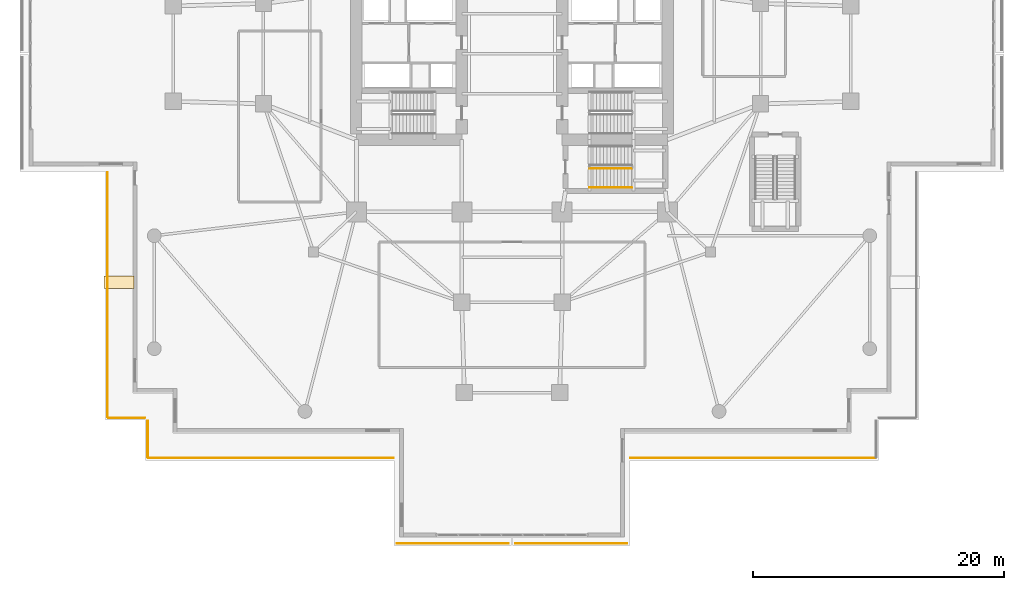
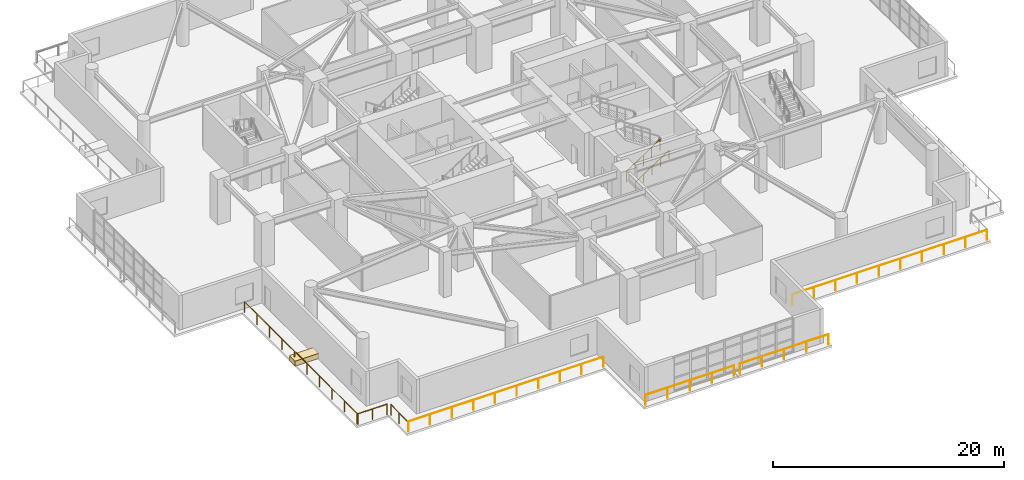
# One storey, part 17 of 23: 9 railings, 1 covering.
"""IFC4 building model written with IfcOpenShell, lengths in metres."""

from ifc_helpers import new_model, si_unit, direction, frame, origin, origin_2d, place, context, subcontext, project, spatial, rectangle, circle, extrude, material, layer, layer_set, type_object, element, save


model = new_model("IFC4")

# Units and contexts
model_context = context("Model", 3, precision=1e-05, world=origin(), true_north=direction((0.0, 1.0)))
body_context = subcontext(model_context, "Body", "Model", "MODEL_VIEW")
ifc_project = project(units=[si_unit("LENGTHUNIT", "METRE"), si_unit("AREAUNIT", "SQUARE_METRE"), si_unit("VOLUMEUNIT", "CUBIC_METRE"), si_unit("PLANEANGLEUNIT", "RADIAN"), si_unit("MASSUNIT", "GRAM", prefix="KILO")], contexts=[model_context])

# Site, building, storey
site_placement = place(None, origin())
site = spatial("IfcSite", under=ifc_project, at=site_placement, CompositionType="ELEMENT")
building_placement = place(site_placement, origin())
building = spatial("IfcBuilding", under=site, at=building_placement, Name="Qingluan Cross Belvedere", CompositionType="ELEMENT")
storey_placement = place(building_placement, frame((0.0, 0.0, 5.39990234375)))
storey = spatial("IfcBuildingStorey", under=building, at=storey_placement, Name="L02", CompositionType="ELEMENT", Elevation=5.39990234375)

# Railings
ifc_material_1 = material(Name="Brushed stainless steel tubular handrail", Category="steel")
railing_type_1 = type_object("IfcRailingType", Name="StairPitchHandrail_900", PredefinedType="HANDRAIL", material=ifc_material_1)
railing_1_placement = place(storey_placement, frame((6.179931640625, -10.669921875, 0.184814453125)))
element("IfcRailing", 1, at=railing_1_placement, inside=storey, type_object=railing_type_1, Name="L02 ST4 stair handrail 1", PredefinedType="HANDRAIL", context=body_context, shape_type="SweptSolid", body=[
    extrude(circle(Radius=0.02392578125, at=origin_2d()), frame((0.0, 0.0, 0.8759765625), z_axis=(0.834876476806, 0.0, 0.550437342915), x_axis=(0.0, 1.0, 0.0)), (0.0, 0.0, 1.0), 4.024658203125),
    extrude(circle(Radius=0.02099609375, at=origin_2d()), origin(), (0.0, 0.0, 1.0), 0.851806640625),
    extrude(circle(Radius=0.02099609375, at=origin_2d()), frame((0.840087890625, 0.0, 0.5537109375)), (0.0, 0.0, 1.0), 0.851806640625),
    extrude(circle(Radius=0.02099609375, at=origin_2d()), frame((1.68017578125, 0.0, 1.107666015625)), (0.0, 0.0, 1.0), 0.851806640625),
    extrude(circle(Radius=0.02099609375, at=origin_2d()), frame((2.52001953125, 0.0, 1.66162109375)), (0.0, 0.0, 1.0), 0.851806640625),
    extrude(circle(Radius=0.02099609375, at=origin_2d()), frame((3.360107421875, 0.0, 2.21533203125)), (0.0, 0.0, 1.0), 0.851806640625),
])
ifc_material_2 = material(Name="Painted steel stair well guard", Category="steel")
railing_type_2 = type_object("IfcRailingType", Name="StairWellGuard_1150", PredefinedType="BALUSTRADE", material=ifc_material_2)
railing_2_placement = place(storey_placement, frame((6.179931640625, -9.14990234375, 0.184814453125)))
element("IfcRailing", 2, at=railing_2_placement, inside=storey, type_object=railing_type_2, Name="L02 ST4 stair guard 1", PredefinedType="BALUSTRADE", context=body_context, shape_type="SweptSolid", body=[
    extrude(circle(Radius=0.02392578125, at=origin_2d()), frame((0.0, 0.0, 1.1259765625), z_axis=(0.834876476806, 0.0, 0.550437342915), x_axis=(0.0, 1.0, 0.0)), (0.0, 0.0, 1.0), 4.024658203125),
    extrude(circle(Radius=0.02099609375, at=origin_2d()), origin(), (0.0, 0.0, 1.0), 1.101806640625),
    extrude(circle(Radius=0.02099609375, at=origin_2d()), frame((0.840087890625, 0.0, 0.5537109375)), (0.0, 0.0, 1.0), 1.101806640625),
    extrude(circle(Radius=0.02099609375, at=origin_2d()), frame((1.68017578125, 0.0, 1.107666015625)), (0.0, 0.0, 1.0), 1.101806640625),
    extrude(circle(Radius=0.02099609375, at=origin_2d()), frame((2.52001953125, 0.0, 1.66162109375)), (0.0, 0.0, 1.0), 1.101806640625),
    extrude(circle(Radius=0.02099609375, at=origin_2d()), frame((3.360107421875, 0.0, 2.21533203125)), (0.0, 0.0, 1.0), 1.101806640625),
])
ifc_material_3 = material(Name="Laminated glass and stainless steel balustrade", Category="steel")
railing_type_3 = type_object("IfcRailingType", Name="TerraceGuardBalustrade_1150", PredefinedType="BALUSTRADE", material=ifc_material_3)
railing_3_placement = place(storey_placement, frame((-0.2900390625, -39.02001953125, 0.0)))
element("IfcRailing", 3, at=railing_3_placement, inside=storey, type_object=railing_type_3, Name="Terrace guard L02-1", PredefinedType="BALUSTRADE", context=body_context, shape_type="SweptSolid", body=[
    extrude(circle(Radius=0.02392578125, at=origin_2d()), frame((0.0, 0.0, 1.1259765625), z_axis=(-1.0, 0.0, 0.0), x_axis=(0.0, -1.0, 0.0)), (0.0, 0.0, 1.0), 8.869873046875),
    extrude(circle(Radius=0.02099609375, at=origin_2d()), origin(), (0.0, 0.0, 1.0), 1.101806640625),
    extrude(circle(Radius=0.02099609375, at=origin_2d()), frame((-2.217529296875, 0.0, 0.0)), (0.0, 0.0, 1.0), 1.101806640625),
    extrude(circle(Radius=0.02099609375, at=origin_2d()), frame((-4.43505859375, 0.0, 0.0)), (0.0, 0.0, 1.0), 1.101806640625),
    extrude(circle(Radius=0.02099609375, at=origin_2d()), frame((-6.65234375, 0.0, 0.0)), (0.0, 0.0, 1.0), 1.101806640625),
    extrude(circle(Radius=0.02099609375, at=origin_2d()), frame((-8.869873046875, 0.0, 0.0)), (0.0, 0.0, 1.0), 1.101806640625),
])
railing_4_placement = place(storey_placement, frame((-9.4599609375, -32.219970703125, 0.0)))
element("IfcRailing", 4, at=railing_4_placement, inside=storey, type_object=railing_type_3, Name="Terrace guard L02-2", PredefinedType="BALUSTRADE", context=body_context, shape_type="SweptSolid", body=[
    extrude(circle(Radius=0.02392578125, at=origin_2d()), frame((0.0, 0.0, 1.1259765625), z_axis=(-1.0, 0.0, 0.0), x_axis=(0.0, -1.0, 0.0)), (0.0, 0.0, 1.0), 19.5),
    extrude(circle(Radius=0.02099609375, at=origin_2d()), origin(), (0.0, 0.0, 1.0), 1.101806640625),
    extrude(circle(Radius=0.02099609375, at=origin_2d()), frame((-2.166748046875, 0.0, 0.0)), (0.0, 0.0, 1.0), 1.101806640625),
    extrude(circle(Radius=0.02099609375, at=origin_2d()), frame((-4.333251953125, 0.0, 0.0)), (0.0, 0.0, 1.0), 1.101806640625),
    extrude(circle(Radius=0.02099609375, at=origin_2d()), frame((-6.5, 0.0, 0.0)), (0.0, 0.0, 1.0), 1.101806640625),
    extrude(circle(Radius=0.02099609375, at=origin_2d()), frame((-8.666748046875, 0.0, 0.0)), (0.0, 0.0, 1.0), 1.101806640625),
    extrude(circle(Radius=0.02099609375, at=origin_2d()), frame((-10.833251953125, 0.0, 0.0)), (0.0, 0.0, 1.0), 1.101806640625),
    extrude(circle(Radius=0.02099609375, at=origin_2d()), frame((-13.0, 0.0, 0.0)), (0.0, 0.0, 1.0), 1.101806640625),
    extrude(circle(Radius=0.02099609375, at=origin_2d()), frame((-15.166748046875, 0.0, 0.0)), (0.0, 0.0, 1.0), 1.101806640625),
    extrude(circle(Radius=0.02099609375, at=origin_2d()), frame((-17.333251953125, 0.0, 0.0)), (0.0, 0.0, 1.0), 1.101806640625),
    extrude(circle(Radius=0.02099609375, at=origin_2d()), frame((-19.5, 0.0, 0.0)), (0.0, 0.0, 1.0), 1.101806640625),
])
railing_5_placement = place(storey_placement, frame((-29.02001953125, -32.159912109375, 0.0)))
element("IfcRailing", 5, at=railing_5_placement, inside=storey, type_object=railing_type_3, Name="Terrace guard L02-3", PredefinedType="BALUSTRADE", context=body_context, shape_type="SweptSolid", body=[
    extrude(circle(Radius=0.02392578125, at=origin_2d()), frame((0.0, 0.0, 1.1259765625), z_axis=(0.0, 1.0, 0.0), x_axis=(-1.0, 0.0, 0.0)), (0.0, 0.0, 1.0), 2.89990234375),
    extrude(circle(Radius=0.02099609375, at=origin_2d()), origin(), (0.0, 0.0, 1.0), 1.101806640625),
    extrude(circle(Radius=0.02099609375, at=origin_2d()), frame((0.0, 1.449951171875, 0.0)), (0.0, 0.0, 1.0), 1.101806640625),
    extrude(circle(Radius=0.02099609375, at=origin_2d()), frame((0.0, 2.89990234375, 0.0)), (0.0, 0.0, 1.0), 1.101806640625),
])
railing_6_placement = place(storey_placement, frame((-29.260009765625, -29.02001953125, 0.0)))
element("IfcRailing", 6, at=railing_6_placement, inside=storey, type_object=railing_type_3, Name="Terrace guard L02-4", PredefinedType="BALUSTRADE", context=body_context, shape_type="SweptSolid", body=[
    extrude(circle(Radius=0.02392578125, at=origin_2d()), frame((0.0, 0.0, 1.1259765625), z_axis=(-1.0, 0.0, 0.0), x_axis=(0.0, -1.0, 0.0)), (0.0, 0.0, 1.0), 2.89990234375),
    extrude(circle(Radius=0.02099609375, at=origin_2d()), origin(), (0.0, 0.0, 1.0), 1.101806640625),
    extrude(circle(Radius=0.02099609375, at=origin_2d()), frame((-1.449951171875, 0.0, 0.0)), (0.0, 0.0, 1.0), 1.101806640625),
    extrude(circle(Radius=0.02099609375, at=origin_2d()), frame((-2.89990234375, 0.0, 0.0)), (0.0, 0.0, 1.0), 1.101806640625),
])
railing_7_placement = place(storey_placement, frame((-32.219970703125, -28.9599609375, 0.0)))
element("IfcRailing", 7, at=railing_7_placement, inside=storey, type_object=railing_type_3, Name="Terrace guard L02-5", PredefinedType="BALUSTRADE", context=body_context, shape_type="SweptSolid", body=[
    extrude(circle(Radius=0.02392578125, at=origin_2d()), frame((0.0, 0.0, 1.1259765625), z_axis=(0.0, 1.0, 0.0), x_axis=(-1.0, 0.0, 0.0)), (0.0, 0.0, 1.0), 19.5),
    extrude(circle(Radius=0.02099609375, at=origin_2d()), origin(), (0.0, 0.0, 1.0), 1.101806640625),
    extrude(circle(Radius=0.02099609375, at=origin_2d()), frame((0.0, 2.166748046875, 0.0)), (0.0, 0.0, 1.0), 1.101806640625),
    extrude(circle(Radius=0.02099609375, at=origin_2d()), frame((0.0, 4.333251953125, 0.0)), (0.0, 0.0, 1.0), 1.101806640625),
    extrude(circle(Radius=0.02099609375, at=origin_2d()), frame((0.0, 6.5, 0.0)), (0.0, 0.0, 1.0), 1.101806640625),
    extrude(circle(Radius=0.02099609375, at=origin_2d()), frame((0.0, 8.666748046875, 0.0)), (0.0, 0.0, 1.0), 1.101806640625),
    extrude(circle(Radius=0.02099609375, at=origin_2d()), frame((0.0, 10.833251953125, 0.0)), (0.0, 0.0, 1.0), 1.101806640625),
    extrude(circle(Radius=0.02099609375, at=origin_2d()), frame((0.0, 13.0, 0.0)), (0.0, 0.0, 1.0), 1.101806640625),
    extrude(circle(Radius=0.02099609375, at=origin_2d()), frame((0.0, 15.166748046875, 0.0)), (0.0, 0.0, 1.0), 1.101806640625),
    extrude(circle(Radius=0.02099609375, at=origin_2d()), frame((0.0, 17.333251953125, 0.0)), (0.0, 0.0, 1.0), 1.101806640625),
    extrude(circle(Radius=0.02099609375, at=origin_2d()), frame((0.0, 19.5, 0.0)), (0.0, 0.0, 1.0), 1.101806640625),
])
railing_8_placement = place(storey_placement, frame((9.159912109375, -39.02001953125, 0.0)))
element("IfcRailing", 8, at=railing_8_placement, inside=storey, type_object=railing_type_3, Name="Terrace guard L02-1", PredefinedType="BALUSTRADE", context=body_context, shape_type="SweptSolid", body=[
    extrude(circle(Radius=0.02392578125, at=origin_2d()), frame((0.0, 0.0, 1.1259765625), z_axis=(-1.0, 0.0, 0.0), x_axis=(0.0, -1.0, 0.0)), (0.0, 0.0, 1.0), 8.869873046875),
    extrude(circle(Radius=0.02099609375, at=origin_2d()), origin(), (0.0, 0.0, 1.0), 1.101806640625),
    extrude(circle(Radius=0.02099609375, at=origin_2d()), frame((-2.217529296875, 0.0, 0.0)), (0.0, 0.0, 1.0), 1.101806640625),
    extrude(circle(Radius=0.02099609375, at=origin_2d()), frame((-4.43505859375, 0.0, 0.0)), (0.0, 0.0, 1.0), 1.101806640625),
    extrude(circle(Radius=0.02099609375, at=origin_2d()), frame((-6.65234375, 0.0, 0.0)), (0.0, 0.0, 1.0), 1.101806640625),
    extrude(circle(Radius=0.02099609375, at=origin_2d()), frame((-8.869873046875, 0.0, 0.0)), (0.0, 0.0, 1.0), 1.101806640625),
])
railing_9_placement = place(storey_placement, frame((28.9599609375, -32.219970703125, 0.0)))
element("IfcRailing", 9, at=railing_9_placement, inside=storey, type_object=railing_type_3, Name="Terrace guard L02-6", PredefinedType="BALUSTRADE", context=body_context, shape_type="SweptSolid", body=[
    extrude(circle(Radius=0.02392578125, at=origin_2d()), frame((0.0, 0.0, 1.1259765625), z_axis=(-1.0, 0.0, 0.0), x_axis=(0.0, -1.0, 0.0)), (0.0, 0.0, 1.0), 19.5),
    extrude(circle(Radius=0.02099609375, at=origin_2d()), origin(), (0.0, 0.0, 1.0), 1.101806640625),
    extrude(circle(Radius=0.02099609375, at=origin_2d()), frame((-2.166748046875, 0.0, 0.0)), (0.0, 0.0, 1.0), 1.101806640625),
    extrude(circle(Radius=0.02099609375, at=origin_2d()), frame((-4.333251953125, 0.0, 0.0)), (0.0, 0.0, 1.0), 1.101806640625),
    extrude(circle(Radius=0.02099609375, at=origin_2d()), frame((-6.5, 0.0, 0.0)), (0.0, 0.0, 1.0), 1.101806640625),
    extrude(circle(Radius=0.02099609375, at=origin_2d()), frame((-8.666748046875, 0.0, 0.0)), (0.0, 0.0, 1.0), 1.101806640625),
    extrude(circle(Radius=0.02099609375, at=origin_2d()), frame((-10.833251953125, 0.0, 0.0)), (0.0, 0.0, 1.0), 1.101806640625),
    extrude(circle(Radius=0.02099609375, at=origin_2d()), frame((-13.0, 0.0, 0.0)), (0.0, 0.0, 1.0), 1.101806640625),
    extrude(circle(Radius=0.02099609375, at=origin_2d()), frame((-15.166748046875, 0.0, 0.0)), (0.0, 0.0, 1.0), 1.101806640625),
    extrude(circle(Radius=0.02099609375, at=origin_2d()), frame((-17.333251953125, 0.0, 0.0)), (0.0, 0.0, 1.0), 1.101806640625),
    extrude(circle(Radius=0.02099609375, at=origin_2d()), frame((-19.5, 0.0, 0.0)), (0.0, 0.0, 1.0), 1.101806640625),
])

# Covering
ifc_material_4 = material(Name="Precast concrete C40", Category="concrete")
ifc_layer = layer(ifc_material_4, 0.550048828125, Name="TerracePlanterBox")
ifc_layer_set = layer_set([ifc_layer], Name="Precast concrete C40")
covering_type = type_object("IfcCoveringType", Name="TerracePlanterBox", PredefinedType="USERDEFINED", material=ifc_layer_set)
covering_placement = place(storey_placement, frame((-31.31005859375, -18.201904296875, 0.0), z_axis=(0.0, 0.0, 1.0), x_axis=(1.0, 0.0, 0.0)))
element("IfcCovering", 10, at=covering_placement, inside=storey, type_object=covering_type, Name="Cascading garden terrace planter L02-3", ObjectType="PLANTER", PredefinedType="USERDEFINED", context=body_context, shape_type="SweptSolid", body=[
    extrude(rectangle(XDim=2.39990234375, YDim=1.0, at=origin_2d()), origin(), (0.0, 0.0, 1.0), 0.550048828125),
])

save(model, "model.ifc")
